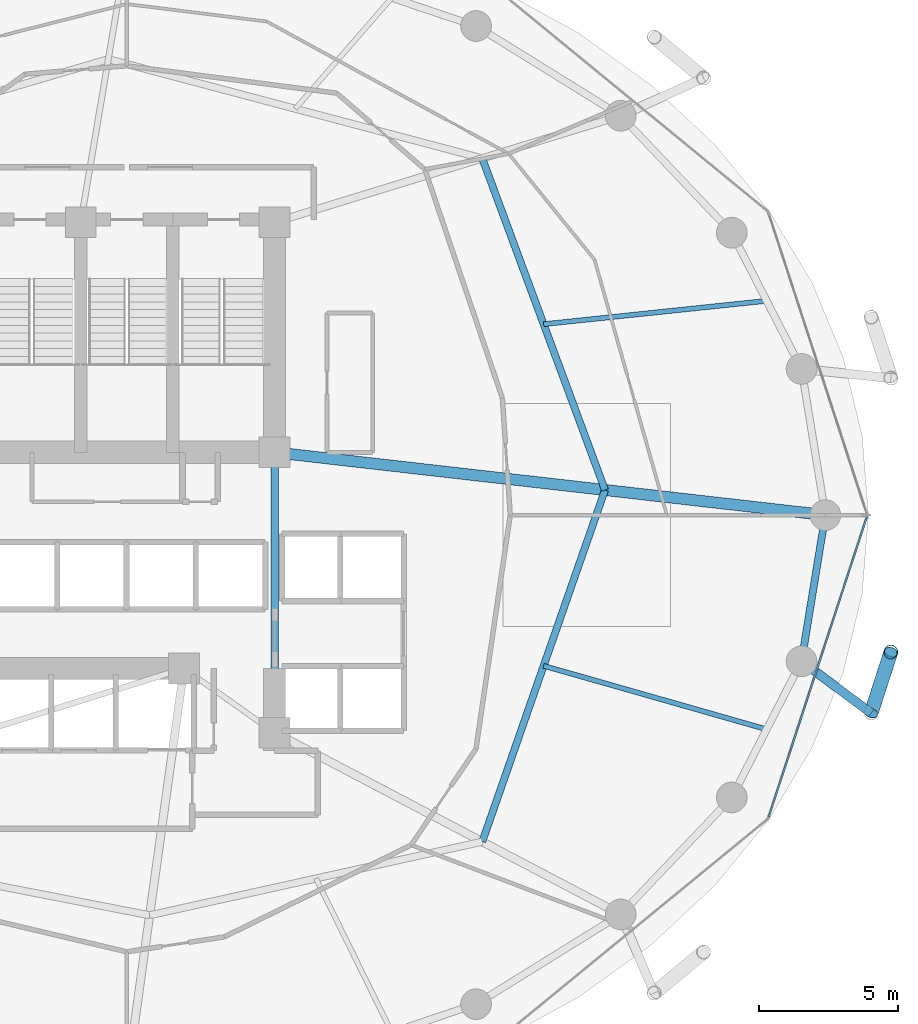
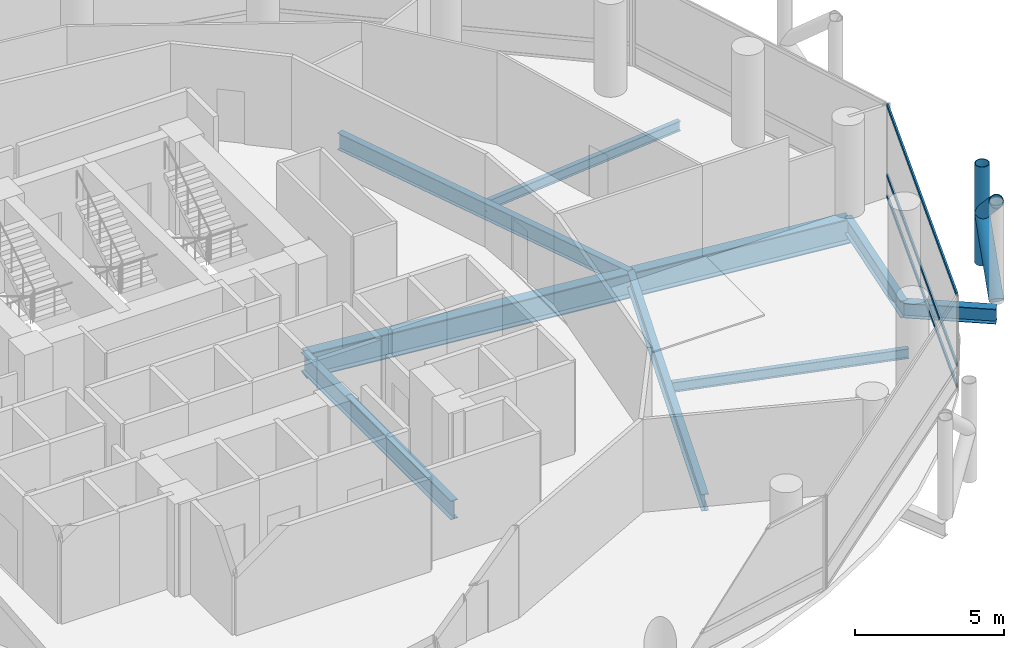
# One storey, part 11 of 26: 8 beams, 6 members, 1 element without a shape of its own.
"""IFC4 building model written with IfcOpenShell, lengths in metres."""

from ifc_helpers import new_model, si_unit, direction, frame, origin, origin_2d, place, context, subcontext, project, spatial, hollow_rectangle, hollow_circle, i_section, extrude, material, layer, layer_set, material_profile, profile_set, type_object, element, aggregate, save


model = new_model("IFC4")

# Units and contexts
model_context = context("Model", 3, precision=1e-05, world=origin(), true_north=direction((0.0, 1.0)))
body_context = subcontext(model_context, "Body", "Model", "MODEL_VIEW")
ifc_project = project(units=[si_unit("LENGTHUNIT", "METRE"), si_unit("AREAUNIT", "SQUARE_METRE"), si_unit("VOLUMEUNIT", "CUBIC_METRE"), si_unit("PLANEANGLEUNIT", "RADIAN"), si_unit("MASSUNIT", "GRAM", prefix="KILO")], contexts=[model_context])

# Site, building, storey
site_placement = place(None, origin())
site = spatial("IfcSite", under=ifc_project, at=site_placement, CompositionType="ELEMENT")
building_placement = place(site_placement, origin())
building = spatial("IfcBuilding", under=site, at=building_placement, Name="Nuhasar Tower", CompositionType="ELEMENT")
storey_placement = place(building_placement, frame((0.0, 0.0, 53.39990234375)))
storey = spatial("IfcBuildingStorey", under=building, at=storey_placement, Name="L12", CompositionType="ELEMENT", Elevation=53.39990234375)

# Beams
ifc_material_1 = material(Name="Steel S355", Category="steel")
ifc_material_profile_1 = material_profile(ifc_material_1, i_section(OverallWidth=0.25390625, OverallDepth=0.68408203125, WebThickness=0.012451171875, FlangeThickness=0.018798828125, at=origin_2d()), Name="W27X94")
ifc_profile_set_1 = profile_set([ifc_material_profile_1], Name="Steel S355")
beam_type_1 = type_object("IfcBeamType", Name="BM-INRING-W27X94", PredefinedType="BEAM", material=ifc_profile_set_1)
beam_1_placement = place(storey_placement, frame((51.748046875, 15.089111328125, -0.601806640625), z_axis=(0.329554049858, 0.944136710558, 0.0), x_axis=(-0.944136710558, 0.329554049858, 0.0)))
element("IfcBeam", 1, at=beam_1_placement, inside=storey, type_object=beam_type_1, Name="L12 Inner Header Beam 03", PredefinedType="BEAM", context=body_context, shape_type="SweptSolid", body=[
    extrude(i_section(OverallWidth=0.25390625, OverallDepth=0.68408203125, WebThickness=0.012451171875, FlangeThickness=0.018798828125, at=origin_2d()), origin(), (0.0, 0.0, 1.0), 13.35693359375),
])
beam_2_placement = place(storey_placement, frame((56.14990234375, 27.699951171875, -0.601806640625), z_axis=(-0.34715757476, 0.937806812881, 0.0), x_axis=(-0.937806812881, -0.34715757476, 0.0)))
element("IfcBeam", 2, at=beam_2_placement, inside=storey, type_object=beam_type_1, Name="L12 Inner Header Beam 04", PredefinedType="BEAM", context=body_context, shape_type="SweptSolid", body=[
    extrude(i_section(OverallWidth=0.25390625, OverallDepth=0.68408203125, WebThickness=0.012451171875, FlangeThickness=0.018798828125, at=origin_2d()), origin(), (0.0, 0.0, 1.0), 12.6796875),
])
ifc_material_profile_2 = material_profile(ifc_material_1, i_section(OverallWidth=0.177978515625, OverallDepth=0.406005859375, WebThickness=0.0078125, FlangeThickness=0.0126953125, at=origin_2d()), Name="W16X40")
ifc_profile_set_2 = profile_set([ifc_material_profile_2], Name="Steel S355")
beam_type_2 = type_object("IfcBeamType", Name="BM-JST-W16X40", PredefinedType="JOIST", material=ifc_profile_set_2)
beam_3_placement = place(storey_placement, frame((53.948974609375, 21.39501953125, -0.462890625), z_axis=(0.961730884496, -0.273995813484, 0.0), x_axis=(0.273995813484, 0.961730884496, 0.0)))
element("IfcBeam", 3, at=beam_3_placement, inside=storey, type_object=beam_type_2, Name="L12 Secondary Floor Joist 03", PredefinedType="JOIST", context=body_context, shape_type="SweptSolid", body=[
    extrude(i_section(OverallWidth=0.177978515625, OverallDepth=0.406005859375, WebThickness=0.0078125, FlangeThickness=0.0126953125, at=origin_2d()), origin(), (0.0, 0.0, 1.0), 8.314208984375),
])
beam_4_placement = place(storey_placement, frame((53.948974609375, 33.64501953125, -0.462890625), z_axis=(0.994554594377, 0.104216883485, 0.0), x_axis=(-0.104216883485, 0.994554594377, 0.0)))
element("IfcBeam", 4, at=beam_4_placement, inside=storey, type_object=beam_type_2, Name="L12 Secondary Floor Joist 04", PredefinedType="JOIST", context=body_context, shape_type="SweptSolid", body=[
    extrude(i_section(OverallWidth=0.177978515625, OverallDepth=0.406005859375, WebThickness=0.0078125, FlangeThickness=0.0126953125, at=origin_2d()), origin(), (0.0, 0.0, 1.0), 8.039794921875),
])
ifc_material_profile_3 = material_profile(ifc_material_1, i_section(OverallWidth=0.26611328125, OverallDepth=0.779052734375, WebThickness=0.0166015625, FlangeThickness=0.030029296875, at=origin_2d()), Name="W30X148")
ifc_profile_set_3 = profile_set([ifc_material_profile_3], Name="Steel S355")
beam_type_3 = type_object("IfcBeamType", Name="BM-RAD-W30X148", PredefinedType="BEAM", material=ifc_profile_set_3)
beam_5_placement = place(storey_placement, frame((44.300048828125, 19.0, -0.64892578125), z_axis=(0.0, 1.0, 0.0), x_axis=(-1.0, 0.0, 0.0)))
element("IfcBeam", 5, at=beam_5_placement, inside=storey, type_object=beam_type_3, Name="L12 Core Ring Girder 3", PredefinedType="BEAM", context=body_context, shape_type="SweptSolid", body=[
    extrude(i_section(OverallWidth=0.26611328125, OverallDepth=0.779052734375, WebThickness=0.0166015625, FlangeThickness=0.030029296875, at=origin_2d()), origin(), (0.0, 0.0, 1.0), 10.050048828125),
])
ifc_material_profile_4 = material_profile(ifc_material_1, i_section(OverallWidth=0.256103515625, OverallDepth=0.693115234375, WebThickness=0.014404296875, FlangeThickness=0.023681640625, at=origin_2d()), Name="W27X114")
ifc_profile_set_4 = profile_set([ifc_material_profile_4], Name="Steel S355")
beam_type_4 = type_object("IfcBeamType", Name="BM-RING-W27X114", PredefinedType="SPANDREL", material=ifc_profile_set_4)
beam_6_placement = place(storey_placement, frame((63.196044921875, 21.55908203125, -0.60595703125), z_axis=(0.160826635486, 0.986982671235, 0.0), x_axis=(-0.986982671235, 0.160826635486, 0.0)))
element("IfcBeam", 6, at=beam_6_placement, inside=storey, type_object=beam_type_4, Name="L12 Perimeter Ring Spandrel 24", PredefinedType="SPANDREL", context=body_context, shape_type="SweptSolid", body=[
    extrude(i_section(OverallWidth=0.256103515625, OverallDepth=0.693115234375, WebThickness=0.014404296875, FlangeThickness=0.023681640625, at=origin_2d()), origin(), (0.0, 0.0, 1.0), 5.31005859375),
])
ifc_material_profile_5 = material_profile(ifc_material_1, i_section(OverallWidth=0.323974609375, OverallDepth=0.611083984375, WebThickness=0.0126953125, FlangeThickness=0.01904296875, at=origin_2d()), Name="W24X104")
ifc_profile_set_5 = profile_set([ifc_material_profile_5], Name="Steel S355")
beam_type_5 = type_object("IfcBeamType", Name="BM-TIE-W24X104", PredefinedType="BEAM", material=ifc_profile_set_5)
beam_7_placement = place(storey_placement, frame((63.196044921875, 21.55908203125, -0.56591796875), z_axis=(0.802113478067, -0.597171640572, 0.0), x_axis=(0.597171640572, 0.802113478067, 0.0)))
element("IfcBeam", 7, at=beam_7_placement, inside=storey, type_object=beam_type_5, Name="L12 Exoskeleton Node Tie Beam 12", PredefinedType="BEAM", context=body_context, shape_type="SweptSolid", body=[
    extrude(i_section(OverallWidth=0.323974609375, OverallDepth=0.611083984375, WebThickness=0.0126953125, FlangeThickness=0.01904296875, at=origin_2d()), origin(), (0.0, 0.0, 1.0), 3.111572265625),
])
ifc_material_2 = material(Name="Steel S460", Category="steel")
ifc_material_profile_6 = material_profile(ifc_material_2, i_section(OverallWidth=0.40087890625, OverallDepth=1.010009765625, WebThickness=0.023681640625, FlangeThickness=0.0419921875, at=origin_2d()), Name="W40X297")
ifc_profile_set_6 = profile_set([ifc_material_profile_6], Name="Steel S460")
beam_type_6 = type_object("IfcBeamType", Name="BM-XFER-W40X297", PredefinedType="USERDEFINED", material=ifc_profile_set_6)
beam_8_placement = place(storey_placement, frame((44.300048828125, 29.050048828125, -0.764892578125), z_axis=(0.993573147212, -0.113191877531, 0.0), x_axis=(0.113191877531, 0.993573147212, 0.0)))
element("IfcBeam", 8, at=beam_8_placement, inside=storey, type_object=beam_type_6, Name="L12 Radial Floor Girder 04", ObjectType="GIRDER", PredefinedType="USERDEFINED", context=body_context, shape_type="SweptSolid", body=[
    extrude(i_section(OverallWidth=0.40087890625, OverallDepth=1.010009765625, WebThickness=0.023681640625, FlangeThickness=0.0419921875, at=origin_2d()), origin(), (0.0, 0.0, 1.0), 19.877685546875),
])

# Curtain wall, members
ifc_material_3 = material(Name="Aluminium 6063-T6", Category="aluminium")
ifc_layer = layer(ifc_material_3, 0.199951171875)
ifc_layer_set = layer_set([ifc_layer], Name="Aluminium 6063-T6")
curtain_wall_type = type_object("IfcCurtainWallType", Name="CW-Z1-OFF", PredefinedType="NOTDEFINED", material=ifc_layer_set)
curtain_wall_placement = place(storey_placement, origin())
curtain_wall = element("IfcCurtainWall", 9, at=curtain_wall_placement, inside=storey, type_object=curtain_wall_type, Name="L12 Unitised Curtain Wall 12", PredefinedType="NOTDEFINED")
ifc_material_profile_7 = material_profile(ifc_material_3, hollow_rectangle(XDim=0.06494140625, YDim=0.14990234375, WallThickness=0.00439453125, at=origin_2d()), Name="CWT-2")
ifc_profile_set_7 = profile_set([ifc_material_profile_7], Name="Aluminium 6063-T6")
member_type_1 = type_object("IfcMemberType", Name="CW-TRN-S2", PredefinedType="USERDEFINED", material=ifc_profile_set_7)
member_1_placement = place(storey_placement, frame((62.022216796875, 15.981689453125, 0.03271484375), z_axis=(0.310818687697, 0.950469222741, 0.0), x_axis=(-0.950469222741, 0.310818687697, 0.0)))
member_1 = element("IfcMember", 10, at=member_1_placement, type_object=member_type_1, Name="CW-Z1 transom 1.1", ObjectType="TRANSOM", PredefinedType="USERDEFINED", context=body_context, shape_type="SweptSolid", body=[
    extrude(hollow_rectangle(XDim=0.06494140625, YDim=0.14990234375, WallThickness=0.00439453125, at=origin_2d()), origin(), (0.0, 0.0, 1.0), 11.317138671875),
])
member_2_placement = place(storey_placement, frame((62.022216796875, 15.981689453125, 0.900146484375), z_axis=(0.310818687697, 0.950469222741, 0.0), x_axis=(-0.950469222741, 0.310818687697, 0.0)))
member_2 = element("IfcMember", 11, at=member_2_placement, type_object=member_type_1, Name="CW-Z1 transom 1.2", ObjectType="TRANSOM", PredefinedType="USERDEFINED", context=body_context, shape_type="SweptSolid", body=[
    extrude(hollow_rectangle(XDim=0.06494140625, YDim=0.14990234375, WallThickness=0.00439453125, at=origin_2d()), origin(), (0.0, 0.0, 1.0), 11.317138671875),
])
member_3_placement = place(storey_placement, frame((62.022216796875, 15.981689453125, 3.767578125), z_axis=(0.310818687697, 0.950469222741, 0.0), x_axis=(-0.950469222741, 0.310818687697, 0.0)))
member_3 = element("IfcMember", 12, at=member_3_placement, type_object=member_type_1, Name="CW-Z1 transom 1.3", ObjectType="TRANSOM", PredefinedType="USERDEFINED", context=body_context, shape_type="SweptSolid", body=[
    extrude(hollow_rectangle(XDim=0.06494140625, YDim=0.14990234375, WallThickness=0.00439453125, at=origin_2d()), origin(), (0.0, 0.0, 1.0), 11.317138671875),
])
aggregate(curtain_wall, [member_1, member_2, member_3])

# Members
ifc_material_profile_8 = material_profile(ifc_material_2, hollow_circle(Radius=0.25390625, WallThickness=0.025390625, at=origin_2d()), Name="HSS508X25.4")
ifc_profile_set_8 = profile_set([ifc_material_profile_8], Name="Steel S460")
member_type_2 = type_object("IfcMemberType", Name="EXO-BRONZE-508", PredefinedType="BRACE", material=ifc_profile_set_8)
member_4_placement = place(storey_placement, frame((66.39990234375, 21.889892578125, 0.0), z_axis=(0.0, 0.0, 1.0), x_axis=(1.0, 0.0, 0.0)))
element("IfcMember", 13, at=member_4_placement, inside=storey, type_object=member_type_2, Name="L12 Exoskeleton Chord Column EC-12B", PredefinedType="BRACE", context=body_context, shape_type="SweptSolid", body=[
    extrude(hollow_circle(Radius=0.25390625, WallThickness=0.025390625, at=origin_2d()), origin(), (0.0, 0.0, 1.0), 4.050048828125),
])
member_5_placement = place(storey_placement, frame((65.69189453125, 19.700927734375, 0.0), z_axis=(0.230999678299, 0.714187281251, 0.660738734997), x_axis=(-0.951468282519, 0.307746823478, 0.0)))
element("IfcMember", 14, at=member_5_placement, inside=storey, type_object=member_type_2, Name="L12 Bronze Diagrid Brace W1-12", PredefinedType="BRACE", context=body_context, shape_type="SweptSolid", body=[
    extrude(hollow_circle(Radius=0.25390625, WallThickness=0.025390625, at=origin_2d()), origin(), (0.0, 0.0, 1.0), 3.06494140625),
])
member_6_placement = place(storey_placement, frame((66.39990234375, 21.889892578125, 2.025146484375), z_axis=(-0.231011836313, -0.714224870475, 0.660693851854), x_axis=(0.951468282519, -0.307746823478, 0.0)))
element("IfcMember", 15, at=member_6_placement, inside=storey, type_object=member_type_2, Name="L12 Bronze Diagrid Brace W2-12", PredefinedType="BRACE", context=body_context, shape_type="SweptSolid", body=[
    extrude(hollow_circle(Radius=0.25390625, WallThickness=0.025390625, at=origin_2d()), origin(), (0.0, 0.0, 1.0), 3.064697265625),
])

save(model, "model.ifc")
